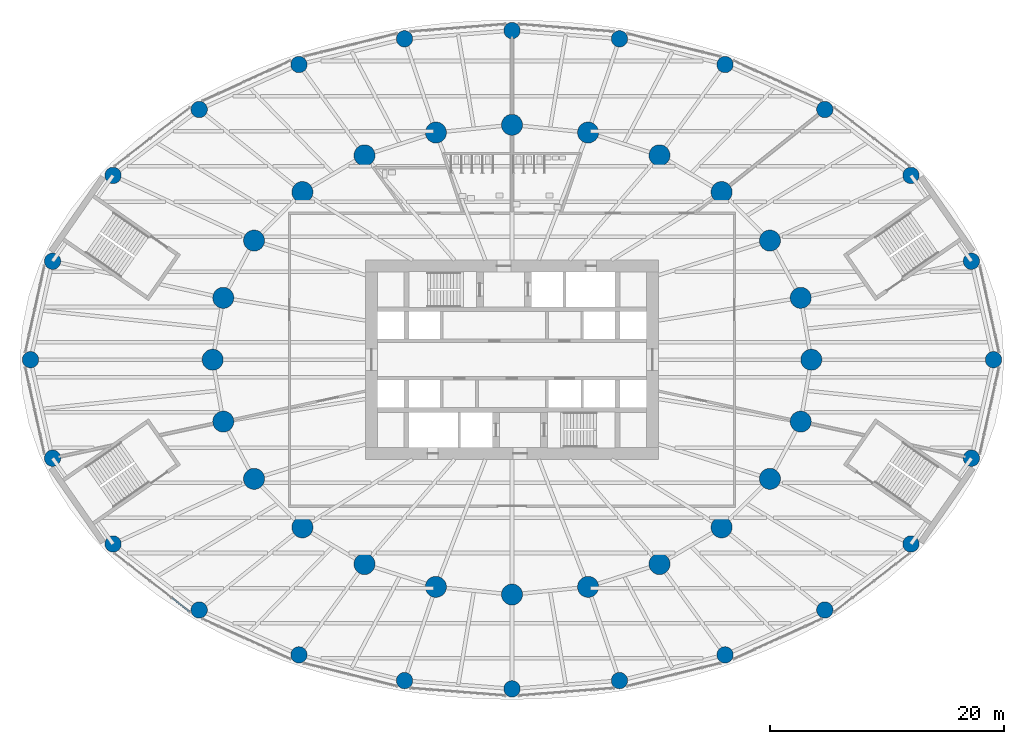
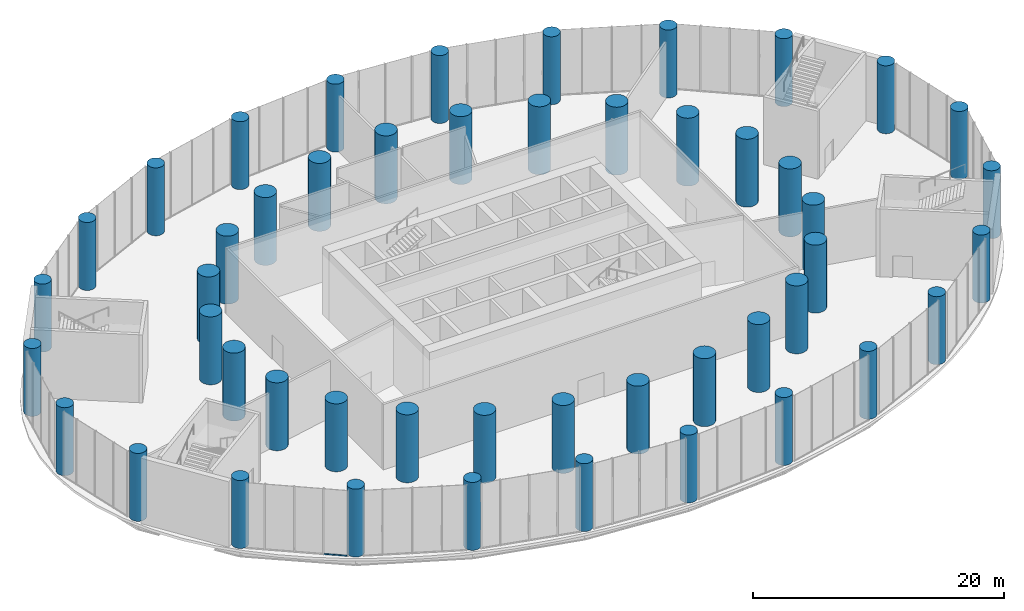
# One storey, part 1 of 22: 48 columns, 1 member, 1 element without a shape of its own.
"""IFC4 building model written with IfcOpenShell, lengths in metres."""

from ifc_helpers import new_model, si_unit, direction, frame, origin, origin_2d, place, context, subcontext, project, spatial, rectangle, circle, extrude, material, material_profile, profile_set, type_object, element, aggregate, save


model = new_model("IFC4")

# Units and contexts
model_context = context("Model", 3, precision=1e-05, world=origin(), true_north=direction((0.0, 1.0)))
body_context = subcontext(model_context, "Body", "Model", "MODEL_VIEW")
ifc_project = project(units=[si_unit("LENGTHUNIT", "METRE"), si_unit("AREAUNIT", "SQUARE_METRE"), si_unit("VOLUMEUNIT", "CUBIC_METRE"), si_unit("PLANEANGLEUNIT", "RADIAN"), si_unit("MASSUNIT", "GRAM", prefix="KILO")], contexts=[model_context])

# Site, building, storey
site_placement = place(None, origin())
site = spatial("IfcSite", under=ifc_project, at=site_placement, CompositionType="ELEMENT")
building_placement = place(site_placement, origin())
building = spatial("IfcBuilding", under=site, at=building_placement, Name="Hankou Lantern Tower", CompositionType="ELEMENT")
storey_placement = place(building_placement, frame((0.0, 0.0, 7.199951171875)))
storey = spatial("IfcBuildingStorey", under=building, at=storey_placement, Name="L01", CompositionType="ELEMENT", Elevation=7.199951171875)

# Columns
ifc_material_1 = material(Name="Concrete C60", Category="concrete")
ifc_material_profile_1 = material_profile(ifc_material_1, circle(Radius=0.699951171875, at=origin_2d()), Name="RC D1400")
ifc_profile_set_1 = profile_set([ifc_material_profile_1], Name="Concrete C60")
column_type_1 = type_object("IfcColumnType", Name="PC1 PODIUM COLUMN RC D1400", PredefinedType="COLUMN", material=ifc_profile_set_1)
for number, where, z_axis, x_axis, name in (
    (1, (41.10009765625, 0.0, 0.0), (0.0, 0.0, 1.0), (1.0, 0.0, 0.0), "Podium column R01 L01"),
    (2, (39.217529296875, 8.40673828125, 0.0), (0.0, 0.0, 1.0), (1.0, 0.0, 0.0), "Podium column R02 L01"),
    (3, (34.056884765625, 15.730224609375, 0.0), (0.0, 0.0, 1.0), (1.0, 0.0, 0.0), "Podium column R03 L01"),
    (4, (26.7021484375, 21.361572265625, 0.0), (0.0, 0.0, 1.0), (1.0, 0.0, 0.0), "Podium column R04 L01"),
    (5, (18.18603515625, 25.199462890625, 0.0), (0.0, 0.0, 1.0), (1.0, 0.0, 0.0), "Podium column R05 L01"),
    (6, (9.17431640625, 27.39111328125, 0.0), (0.0, 0.0, 1.0), (1.0, 0.0, 0.0), "Podium column R06 L01"),
    (7, (0.0, 28.10009765625, 0.0), (0.0, 0.0, 1.0), (1.0, 0.0, 0.0), "Podium column R07 L01"),
    (8, (-9.17431640625, 27.39111328125, 0.0), (0.0, 0.0, 1.0), (1.0, 0.0, 0.0), "Podium column R08 L01"),
    (9, (-18.18603515625, 25.199462890625, 0.0), (0.0, 0.0, 1.0), (1.0, 0.0, 0.0), "Podium column R09 L01"),
    (10, (-26.7021484375, 21.361572265625, 0.0), (0.0, 0.0, 1.0), (1.0, 0.0, 0.0), "Podium column R10 L01"),
    (11, (-34.056884765625, 15.730224609375, 0.0), (0.0, 0.0, 1.0), (1.0, 0.0, 0.0), "Podium column R11 L01"),
    (12, (-39.217529296875, 8.40673828125, 0.0), (0.0, 0.0, 1.0), (1.0, 0.0, 0.0), "Podium column R12 L01"),
    (13, (-41.10009765625, 0.0, 0.0), (0.0, 0.0, 1.0), (1.0, 0.0, 0.0), "Podium column R13 L01"),
    (14, (-39.217529296875, -8.40673828125, 0.0), (0.0, 0.0, 1.0), (1.0, 0.0, 0.0), "Podium column R14 L01"),
    (15, (-34.056884765625, -15.730224609375, 0.0), (0.0, 0.0, 1.0), (1.0, 0.0, 0.0), "Podium column R15 L01"),
    (16, (-26.7021484375, -21.361572265625, 0.0), (0.0, 0.0, 1.0), (1.0, 0.0, 0.0), "Podium column R16 L01"),
    (17, (-18.18603515625, -25.199462890625, 0.0), (0.0, 0.0, 1.0), (1.0, 0.0, 0.0), "Podium column R17 L01"),
    (18, (-9.17431640625, -27.39111328125, 0.0), (0.0, 0.0, 1.0), (1.0, 0.0, 0.0), "Podium column R18 L01"),
    (19, (0.0, -28.10009765625, 0.0), (0.0, 0.0, 1.0), (1.0, 0.0, 0.0), "Podium column R19 L01"),
    (20, (9.17431640625, -27.39111328125, 0.0), (0.0, 0.0, 1.0), (1.0, 0.0, 0.0), "Podium column R20 L01"),
    (21, (18.18603515625, -25.199462890625, 0.0), (0.0, 0.0, 1.0), (1.0, 0.0, 0.0), "Podium column R21 L01"),
    (22, (26.7021484375, -21.361572265625, 0.0), (0.0, 0.0, 1.0), (1.0, 0.0, 0.0), "Podium column R22 L01"),
    (23, (34.056884765625, -15.730224609375, 0.0), (0.0, 0.0, 1.0), (1.0, 0.0, 0.0), "Podium column R23 L01"),
    (24, (39.217529296875, -8.40673828125, 0.0), (0.0, 0.0, 1.0), (1.0, 0.0, 0.0), "Podium column R24 L01"),
):
    element("IfcColumn", number, at=place(storey_placement, frame(where, z_axis=z_axis, x_axis=x_axis)), inside=storey, type_object=column_type_1, Name=name, PredefinedType="COLUMN", context=body_context, shape_type="SweptSolid", body=[
        extrude(circle(Radius=0.699951171875, at=origin_2d()), origin(), (0.0, 0.0, 1.0), 6.60009765625),
    ])
ifc_material_2 = material(Name="Concrete C60", Category="concrete")
ifc_material_profile_2 = material_profile(ifc_material_2, circle(Radius=0.89990234375, at=origin_2d()), Name="RC D1800")
ifc_profile_set_2 = profile_set([ifc_material_profile_2], Name="Concrete C60")
column_type_2 = type_object("IfcColumnType", Name="TC1 PERIMETER COLUMN RC D1800", PredefinedType="COLUMN", material=ifc_profile_set_2)
for number, where, z_axis, x_axis, name in (
    (25, (25.550048828125, 0.0, 0.0), (0.0, 0.0, 1.0), (1.0, 0.0, 0.0), "Column R01 L01"),
    (26, (24.64697265625, 5.283203125, 0.0), (0.0, 0.0, 1.0), (1.0, 0.0, 0.0), "Column R02 L01"),
    (27, (22.01904296875, 10.170166015625, 0.0), (0.0, 0.0, 1.0), (1.0, 0.0, 0.0), "Column R03 L01"),
    (28, (17.891845703125, 14.3134765625, 0.0), (0.0, 0.0, 1.0), (1.0, 0.0, 0.0), "Column R04 L01"),
    (29, (12.5908203125, 17.446533203125, 0.0), (0.0, 0.0, 1.0), (1.0, 0.0, 0.0), "Column R05 L01"),
    (30, (6.494873046875, 19.391357421875, 0.0), (0.0, 0.0, 1.0), (1.0, 0.0, 0.0), "Column R06 L01"),
    (31, (0.0, 20.050048828125, 0.0), (0.0, 0.0, 1.0), (1.0, 0.0, 0.0), "Column R07 L01"),
    (32, (-6.494873046875, 19.391357421875, 0.0), (0.0, 0.0, 1.0), (1.0, 0.0, 0.0), "Column R08 L01"),
    (33, (-12.5908203125, 17.446533203125, 0.0), (0.0, 0.0, 1.0), (1.0, 0.0, 0.0), "Column R09 L01"),
    (34, (-17.891845703125, 14.3134765625, 0.0), (0.0, 0.0, 1.0), (1.0, 0.0, 0.0), "Column R10 L01"),
    (35, (-22.01904296875, 10.170166015625, 0.0), (0.0, 0.0, 1.0), (1.0, 0.0, 0.0), "Column R11 L01"),
    (36, (-24.64697265625, 5.283203125, 0.0), (0.0, 0.0, 1.0), (1.0, 0.0, 0.0), "Column R12 L01"),
    (37, (-25.550048828125, 0.0, 0.0), (0.0, 0.0, 1.0), (1.0, 0.0, 0.0), "Column R13 L01"),
    (38, (-24.64697265625, -5.283203125, 0.0), (0.0, 0.0, 1.0), (1.0, 0.0, 0.0), "Column R14 L01"),
    (39, (-22.01904296875, -10.170166015625, 0.0), (0.0, 0.0, 1.0), (1.0, 0.0, 0.0), "Column R15 L01"),
    (40, (-17.891845703125, -14.3134765625, 0.0), (0.0, 0.0, 1.0), (1.0, 0.0, 0.0), "Column R16 L01"),
    (41, (-12.5908203125, -17.446533203125, 0.0), (0.0, 0.0, 1.0), (1.0, 0.0, 0.0), "Column R17 L01"),
    (42, (-6.494873046875, -19.391357421875, 0.0), (0.0, 0.0, 1.0), (1.0, 0.0, 0.0), "Column R18 L01"),
    (43, (0.0, -20.050048828125, 0.0), (0.0, 0.0, 1.0), (1.0, 0.0, 0.0), "Column R19 L01"),
    (44, (6.494873046875, -19.391357421875, 0.0), (0.0, 0.0, 1.0), (1.0, 0.0, 0.0), "Column R20 L01"),
    (45, (12.5908203125, -17.446533203125, 0.0), (0.0, 0.0, 1.0), (1.0, 0.0, 0.0), "Column R21 L01"),
    (46, (17.891845703125, -14.3134765625, 0.0), (0.0, 0.0, 1.0), (1.0, 0.0, 0.0), "Column R22 L01"),
    (47, (22.01904296875, -10.170166015625, 0.0), (0.0, 0.0, 1.0), (1.0, 0.0, 0.0), "Column R23 L01"),
    (48, (24.64697265625, -5.283203125, 0.0), (0.0, 0.0, 1.0), (1.0, 0.0, 0.0), "Column R24 L01"),
):
    element("IfcColumn", number, at=place(storey_placement, frame(where, z_axis=z_axis, x_axis=x_axis)), inside=storey, type_object=column_type_2, Name=name, PredefinedType="COLUMN", context=body_context, shape_type="SweptSolid", body=[
        extrude(circle(Radius=0.89990234375, at=origin_2d()), origin(), (0.0, 0.0, 1.0), 6.60009765625),
    ])

# Curtain wall, member
ifc_material_3 = material(Name="Glass, dark grey tinted laminated", Category="glass")
curtain_wall_type = type_object("IfcCurtainWallType", Name="CWP PODIUM CURTAIN WALL", PredefinedType="USERDEFINED", material=ifc_material_3)
curtain_wall_placement = place(storey_placement, origin())
curtain_wall = element("IfcCurtainWall", 49, at=curtain_wall_placement, inside=storey, type_object=curtain_wall_type, Name="CWP L01 PC11", ObjectType="PODIUM GLAZING", PredefinedType="USERDEFINED")
ifc_material_4 = material(Name="Aluminium, black anodised", Category="aluminium")
ifc_material_profile_3 = material_profile(ifc_material_4, rectangle(XDim=0.14990234375, YDim=0.080078125, at=origin_2d()), Name="TR2 150X80")
ifc_profile_set_3 = profile_set([ifc_material_profile_3], Name="Aluminium, black anodised")
member_type = type_object("IfcMemberType", Name="TR2 PODIUM TRANSOM 150X80", PredefinedType="USERDEFINED", material=ifc_profile_set_3)
member_placement = place(storey_placement, frame((-29.021484375, -20.340087890625, 0.0400390625), z_axis=(0.790098015443, -0.612980526601, 0.0), x_axis=(0.612980526601, 0.790098015443, 0.0)))
member = element("IfcMember", 50, at=member_placement, type_object=member_type, Name="CWP transom 4", ObjectType="TRANSOM", PredefinedType="USERDEFINED", context=body_context, shape_type="SweptSolid", body=[
    extrude(rectangle(XDim=0.14990234375, YDim=0.080078125, at=origin_2d()), origin(), (0.0, 0.0, 1.0), 1.902099609375),
])
aggregate(curtain_wall, [member])

save(model, "model.ifc")
